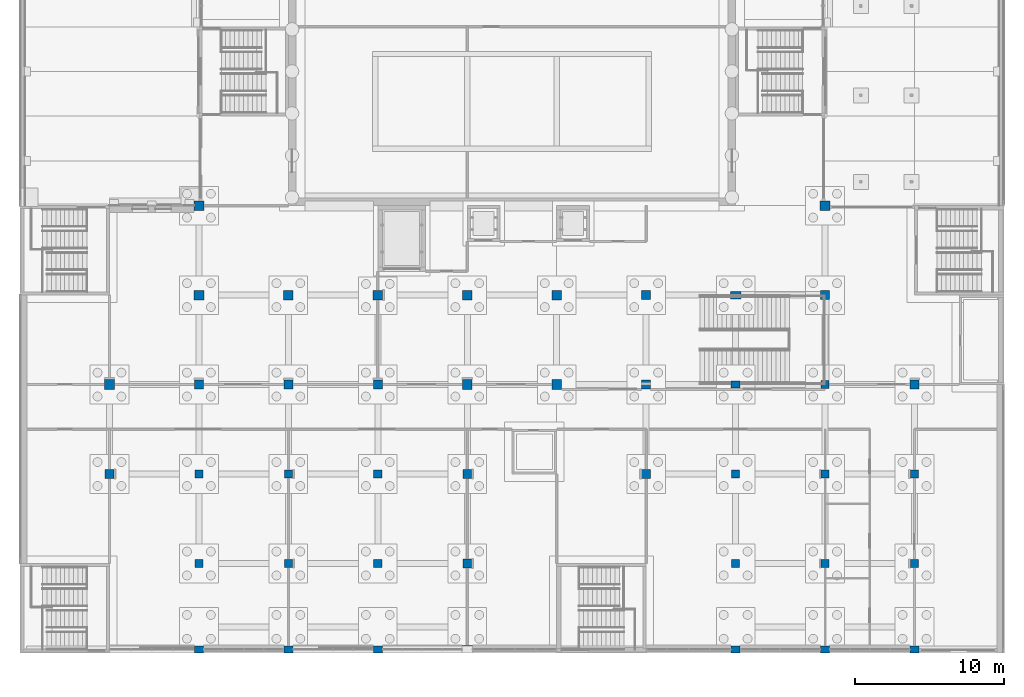
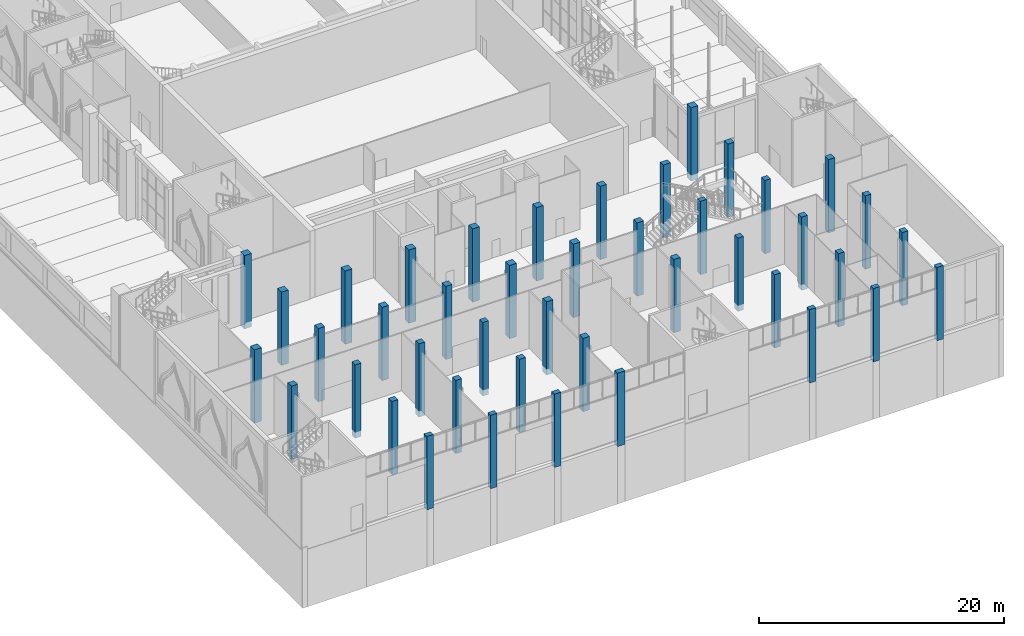
# One storey, part 7 of 95: 43 columns.
"""IFC4 building model written with IfcOpenShell, lengths in metres."""

from ifc_helpers import new_model, si_unit, direction, frame, origin, origin_2d, place, context, subcontext, project, spatial, rectangle, extrude, material, material_profile, profile_set, type_object, element, save


model = new_model("IFC4")

# Units and contexts
model_context = context("Model", 3, precision=1e-05, world=origin(), true_north=direction((0.0, 1.0)))
body_context = subcontext(model_context, "Body", "Model", "MODEL_VIEW")
ifc_project = project(units=[si_unit("LENGTHUNIT", "METRE"), si_unit("AREAUNIT", "SQUARE_METRE"), si_unit("VOLUMEUNIT", "CUBIC_METRE"), si_unit("PLANEANGLEUNIT", "RADIAN"), si_unit("MASSUNIT", "GRAM", prefix="KILO")], contexts=[model_context])

# Site, building, storey
site_placement = place(None, origin())
site = spatial("IfcSite", under=ifc_project, at=site_placement, CompositionType="ELEMENT")
building_placement = place(site_placement, origin())
building = spatial("IfcBuilding", under=site, at=building_placement, Name="Saffron Lane Theatres", CompositionType="ELEMENT")
storey_placement = place(building_placement, origin())
storey = spatial("IfcBuildingStorey", under=building, at=storey_placement, Name="L00", CompositionType="ELEMENT", Elevation=0.0)

# Columns
ifc_material_1 = material(Name="Concrete N50 (50 MPa)", Category="concrete")
ifc_material_profile_1 = material_profile(ifc_material_1, rectangle(XDim=0.550048828125, YDim=0.550048828125, at=origin_2d()))
ifc_profile_set_1 = profile_set([ifc_material_profile_1], Name="Concrete N50 (50 MPa)")
column_type_1 = type_object("IfcColumnType", Name="RC-COL 550x550", PredefinedType="COLUMN", material=ifc_profile_set_1)
for number, where, z_axis, x_axis, name in (
    (1, (12.0, 6.0, -0.300048828125), (0.0, 0.0, 1.0), (1.0, 0.0, 0.0), "col-L00-C2"),
    (2, (18.0, 6.0, -0.300048828125), (0.0, 0.0, 1.0), (1.0, 0.0, 0.0), "col-L00-D2"),
    (3, (24.0, 6.0, -0.300048828125), (0.0, 0.0, 1.0), (1.0, 0.0, 0.0), "col-L00-E2"),
    (4, (48.0, 6.0, -0.300048828125), (0.0, 0.0, 1.0), (1.0, 0.0, 0.0), "col-L00-J2"),
    (5, (54.0, 6.0, -0.300048828125), (0.0, 0.0, 1.0), (1.0, 0.0, 0.0), "col-L00-K2"),
    (6, (60.0, 6.0, -0.300048828125), (0.0, 0.0, 1.0), (1.0, 0.0, 0.0), "col-L00-L2"),
    (7, (12.0, 12.0, -0.300048828125), (0.0, 0.0, 1.0), (1.0, 0.0, 0.0), "col-L00-C3"),
    (8, (18.0, 12.0, -0.300048828125), (0.0, 0.0, 1.0), (1.0, 0.0, 0.0), "col-L00-D3"),
    (9, (24.0, 12.0, -0.300048828125), (0.0, 0.0, 1.0), (1.0, 0.0, 0.0), "col-L00-E3"),
    (10, (48.0, 12.0, -0.300048828125), (0.0, 0.0, 1.0), (1.0, 0.0, 0.0), "col-L00-J3"),
    (11, (54.0, 12.0, -0.300048828125), (0.0, 0.0, 1.0), (1.0, 0.0, 0.0), "col-L00-K3"),
    (12, (60.0, 12.0, -0.300048828125), (0.0, 0.0, 1.0), (1.0, 0.0, 0.0), "col-L00-L3"),
    (13, (54.0, 18.0, -0.300048828125), (0.0, 0.0, 1.0), (1.0, 0.0, 0.0), "col-L00-K4"),
):
    element("IfcColumn", number, at=place(storey_placement, frame(where, z_axis=z_axis, x_axis=x_axis)), inside=storey, type_object=column_type_1, Name=name, PredefinedType="COLUMN", context=body_context, shape_type="SweptSolid", body=[
        extrude(rectangle(XDim=0.550048828125, YDim=0.550048828125, at=origin_2d()), origin(), (0.0, 0.0, 1.0), 7.300048828125),
    ])
ifc_material_2 = material(Name="Concrete N50 (50 MPa)", Category="concrete")
ifc_material_profile_2 = material_profile(ifc_material_2, rectangle(XDim=0.60009765625, YDim=0.449951171875, at=origin_2d()))
ifc_profile_set_2 = profile_set([ifc_material_profile_2], Name="Concrete N50 (50 MPa)")
column_type_2 = type_object("IfcColumnType", Name="RC-COL 600x450", PredefinedType="COLUMN", material=ifc_profile_set_2)
for number, where, z_axis, x_axis, name in (
    (14, (12.0, 0.2255859375, -0.300048828125), (0.0, 0.0, 1.0), (1.0, 0.0, 0.0), "col-L00-C1"),
    (15, (18.0, 0.2255859375, -0.300048828125), (0.0, 0.0, 1.0), (1.0, 0.0, 0.0), "col-L00-D1"),
    (16, (24.0, 0.2255859375, -0.300048828125), (0.0, 0.0, 1.0), (1.0, 0.0, 0.0), "col-L00-E1"),
    (17, (48.0, 0.2255859375, -0.300048828125), (0.0, 0.0, 1.0), (1.0, 0.0, 0.0), "col-L00-J1"),
    (18, (54.0, 0.2255859375, -0.300048828125), (0.0, 0.0, 1.0), (1.0, 0.0, 0.0), "col-L00-K1"),
    (19, (60.0, 0.2255859375, -0.300048828125), (0.0, 0.0, 1.0), (1.0, 0.0, 0.0), "col-L00-L1"),
    (20, (48.0, 18.0, -0.300048828125), (0.0, 0.0, 1.0), (1.0, 0.0, 0.0), "col-L00-J4"),
):
    element("IfcColumn", number, at=place(storey_placement, frame(where, z_axis=z_axis, x_axis=x_axis)), inside=storey, type_object=column_type_2, Name=name, PredefinedType="COLUMN", context=body_context, shape_type="SweptSolid", body=[
        extrude(rectangle(XDim=0.60009765625, YDim=0.449951171875, at=origin_2d()), origin(), (0.0, 0.0, 1.0), 7.300048828125),
    ])
ifc_material_3 = material(Name="Concrete N50 (50 MPa)", Category="concrete")
ifc_material_profile_3 = material_profile(ifc_material_3, rectangle(XDim=0.60009765625, YDim=0.60009765625, at=origin_2d()))
ifc_profile_set_3 = profile_set([ifc_material_profile_3], Name="Concrete N50 (50 MPa)")
column_type_3 = type_object("IfcColumnType", Name="RC-COL 600x600", PredefinedType="COLUMN", material=ifc_profile_set_3)
for number, where, z_axis, x_axis, name in (
    (21, (30.0, 6.0, -0.300048828125), (0.0, 0.0, 1.0), (1.0, 0.0, 0.0), "col-L00-F2"),
    (22, (6.0, 12.0, -0.300048828125), (0.0, 0.0, 1.0), (1.0, 0.0, 0.0), "col-L00-B3"),
    (23, (30.0, 12.0, -0.300048828125), (0.0, 0.0, 1.0), (1.0, 0.0, 0.0), "col-L00-F3"),
    (24, (42.0, 12.0, -0.300048828125), (0.0, 0.0, 1.0), (1.0, 0.0, 0.0), "col-L00-H3"),
    (25, (12.0, 18.0, -0.300048828125), (0.0, 0.0, 1.0), (1.0, 0.0, 0.0), "col-L00-C4"),
    (26, (18.0, 18.0, -0.300048828125), (0.0, 0.0, 1.0), (1.0, 0.0, 0.0), "col-L00-D4"),
    (27, (24.0, 18.0, -0.300048828125), (0.0, 0.0, 1.0), (1.0, 0.0, 0.0), "col-L00-E4"),
    (28, (42.0, 18.0, -0.300048828125), (0.0, 0.0, 1.0), (1.0, 0.0, 0.0), "col-L00-H4"),
    (29, (60.0, 18.0, -0.300048828125), (0.0, 0.0, 1.0), (1.0, 0.0, 0.0), "col-L00-L4"),
    (30, (42.0, 24.0, -0.300048828125), (0.0, 0.0, 1.0), (1.0, 0.0, 0.0), "col-L00-H5"),
    (31, (54.0, 24.0, -0.300048828125), (0.0, 0.0, 1.0), (1.0, 0.0, 0.0), "col-L00-K5"),
):
    element("IfcColumn", number, at=place(storey_placement, frame(where, z_axis=z_axis, x_axis=x_axis)), inside=storey, type_object=column_type_3, Name=name, PredefinedType="COLUMN", context=body_context, shape_type="SweptSolid", body=[
        extrude(rectangle(XDim=0.60009765625, YDim=0.60009765625, at=origin_2d()), origin(), (0.0, 0.0, 1.0), 7.300048828125),
    ])
ifc_material_4 = material(Name="Concrete N50 (50 MPa)", Category="concrete")
ifc_material_profile_4 = material_profile(ifc_material_4, rectangle(XDim=0.64990234375, YDim=0.64990234375, at=origin_2d()))
ifc_profile_set_4 = profile_set([ifc_material_profile_4], Name="Concrete N50 (50 MPa)")
column_type_4 = type_object("IfcColumnType", Name="RC-COL 650x650", PredefinedType="COLUMN", material=ifc_profile_set_4)
for number, where, z_axis, x_axis, name in (
    (32, (6.0, 18.0, -0.300048828125), (0.0, 0.0, 1.0), (1.0, 0.0, 0.0), "col-L00-B4"),
    (33, (30.0, 18.0, -0.300048828125), (0.0, 0.0, 1.0), (1.0, 0.0, 0.0), "col-L00-F4"),
    (34, (36.0, 18.0, -0.300048828125), (0.0, 0.0, 1.0), (1.0, 0.0, 0.0), "col-L00-G4"),
    (35, (12.0, 24.0, -0.300048828125), (0.0, 0.0, 1.0), (1.0, 0.0, 0.0), "col-L00-C5"),
    (36, (18.0, 24.0, -0.300048828125), (0.0, 0.0, 1.0), (1.0, 0.0, 0.0), "col-L00-D5"),
    (37, (24.0, 24.0, -0.300048828125), (0.0, 0.0, 1.0), (1.0, 0.0, 0.0), "col-L00-E5"),
    (38, (30.0, 24.0, -0.300048828125), (0.0, 0.0, 1.0), (1.0, 0.0, 0.0), "col-L00-F5"),
    (39, (36.0, 24.0, -0.300048828125), (0.0, 0.0, 1.0), (1.0, 0.0, 0.0), "col-L00-G5"),
    (40, (12.0, 30.0, -0.300048828125), (0.0, 0.0, 1.0), (1.0, 0.0, 0.0), "col-L00-C6"),
    (41, (54.0, 30.0, -0.300048828125), (0.0, 0.0, 1.0), (1.0, 0.0, 0.0), "col-L00-K6"),
):
    element("IfcColumn", number, at=place(storey_placement, frame(where, z_axis=z_axis, x_axis=x_axis)), inside=storey, type_object=column_type_4, Name=name, PredefinedType="COLUMN", context=body_context, shape_type="SweptSolid", body=[
        extrude(rectangle(XDim=0.64990234375, YDim=0.64990234375, at=origin_2d()), origin(), (0.0, 0.0, 1.0), 7.300048828125),
    ])
ifc_material_5 = material(Name="Concrete N50 (50 MPa)", Category="concrete")
ifc_material_profile_5 = material_profile(ifc_material_5, rectangle(XDim=0.699951171875, YDim=0.5, at=origin_2d()))
ifc_profile_set_5 = profile_set([ifc_material_profile_5], Name="Concrete N50 (50 MPa)")
column_type_5 = type_object("IfcColumnType", Name="RC-COL 700x500", PredefinedType="COLUMN", material=ifc_profile_set_5)
for number, where, z_axis, x_axis, name in (
    (42, (30.0, 0.25048828125, -0.300048828125), (0.0, 0.0, 1.0), (1.0, 0.0, 0.0), "col-L00-F1"),
    (43, (48.0, 24.0, -0.300048828125), (0.0, 0.0, 1.0), (1.0, 0.0, 0.0), "col-L00-J5"),
):
    element("IfcColumn", number, at=place(storey_placement, frame(where, z_axis=z_axis, x_axis=x_axis)), inside=storey, type_object=column_type_5, Name=name, PredefinedType="COLUMN", context=body_context, shape_type="SweptSolid", body=[
        extrude(rectangle(XDim=0.699951171875, YDim=0.5, at=origin_2d()), origin(), (0.0, 0.0, 1.0), 7.300048828125),
    ])

save(model, "model.ifc")
